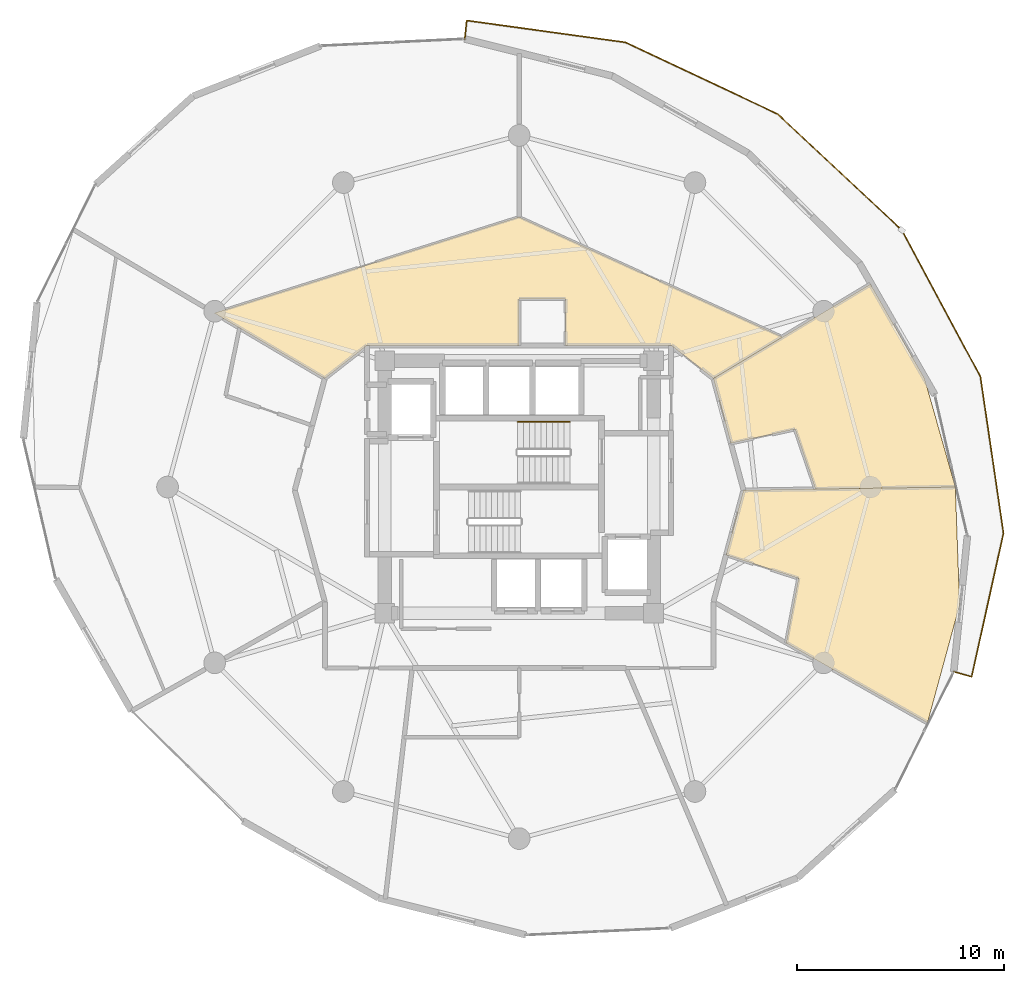
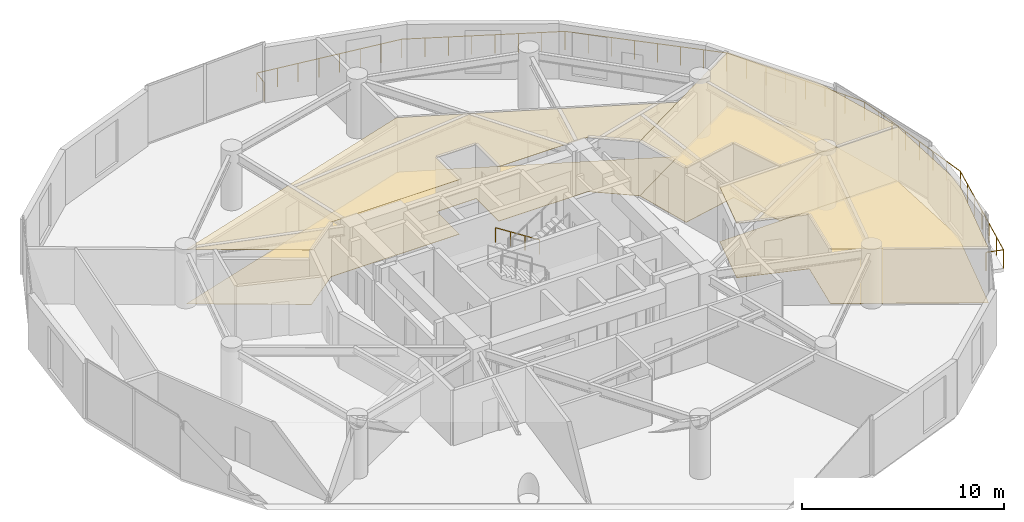
# One storey, part 25 of 25: 6 coverings, 2 railings.
"""IFC4 building model written with IfcOpenShell, lengths in metres."""

import ifcopenshell
import ifcopenshell.guid

model = None  # the IFC model being written
_history = None  # IfcOwnerHistory: only IFC2X3 demands one
_inside = {}  # id of a spatial element -> (the spatial element, [elements in it])
_under = {}  # id of a project, library or spatial element -> (it, [spatial elements below it])
_declared = {}  # id of a project -> (the project, [libraries it declares])
_typed = {}  # id of a type object -> (the type object, [elements of that type])
_made_of = {}  # id of a material, layer set ... -> (it, [elements and type objects made of it])


def new_model(schema):
    """Start an empty IFC model of exactly this schema.

    Asked for "IFC4X3", IfcOpenShell would pick the latest addendum, in which some entities
    have other attributes; the version numbers below select the first issue.
    IFC2X3 requires an IfcOwnerHistory on every rooted entity: one is made here for all.
    """
    global model, _history
    if schema == "IFC4X3":
        model = ifcopenshell.file(schema_version=(4, 3, 0, 0))
    else:
        model = ifcopenshell.file(schema=schema)
    _inside.clear()
    _under.clear()
    _declared.clear()
    _typed.clear()
    _made_of.clear()
    _history = None
    if model.schema == "IFC2X3":
        org = make("IfcOrganization", Name="unknown")
        user = make(
            "IfcPersonAndOrganization",
            ThePerson=make("IfcPerson", FamilyName="unknown"),
            TheOrganization=org,
        )
        app = make(
            "IfcApplication",
            ApplicationDeveloper=org,
            Version="unknown",
            ApplicationFullName="unknown",
            ApplicationIdentifier="unknown",
        )
        _history = make(
            "IfcOwnerHistory",
            OwningUser=user,
            OwningApplication=app,
            ChangeAction="ADDED",
            CreationDate=0,
        )
    return model


def make(cls, **values):
    """One entity of the class cls with the attributes given. An attribute that is None is left unset."""
    return model.create_entity(
        cls, **{name: value for name, value in values.items() if value is not None}
    )


def rooted(cls, **values):
    """An entity with a GlobalId (a new one), such as an element, a storey or a relation."""
    return make(cls, GlobalId=ifcopenshell.guid.new(), OwnerHistory=_history, **values)


def si_unit(unit_type, name, prefix=None):
    """IfcSIUnit, for example si_unit("LENGTHUNIT", "METRE", prefix="MILLI")."""
    return make("IfcSIUnit", UnitType=unit_type, Prefix=prefix, Name=name)


def assignment(units):
    """IfcUnitAssignment: the units of a project."""
    return None if units is None else make("IfcUnitAssignment", Units=units)


def point(xyz):
    """IfcCartesianPoint."""
    return None if xyz is None else make("IfcCartesianPoint", Coordinates=xyz)


def direction(xyz):
    """IfcDirection."""
    return None if xyz is None else make("IfcDirection", DirectionRatios=xyz)


def frame(location, z_axis=None, x_axis=None):
    """IfcAxis2Placement3D, a coordinate frame: its origin and axes. An axis left out is left unset."""
    return make(
        "IfcAxis2Placement3D",
        Location=point(location),
        Axis=direction(z_axis),
        RefDirection=direction(x_axis),
    )


def frame_2d(location, x_axis=None):
    """IfcAxis2Placement2D, a coordinate frame in the plane: its origin and x axis."""
    return make(
        "IfcAxis2Placement2D", Location=point(location), RefDirection=direction(x_axis)
    )


def origin():
    """The frame at (0, 0, 0) with its axes left unset."""
    return frame((0.0, 0.0, 0.0))


def origin_2d():
    """The frame at (0, 0) in the plane with its x axis left unset."""
    return frame_2d((0.0, 0.0))


def place(relative_to, where):
    """IfcLocalPlacement: puts the frame where relative to a parent placement (None: the world)."""
    return make(
        "IfcLocalPlacement", PlacementRelTo=relative_to, RelativePlacement=where
    )


def context(
    kind, dimensions, precision=None, world=None, true_north=None, identifier=None
):
    """IfcGeometricRepresentationContext, for example the 3D "Model" context."""
    return make(
        "IfcGeometricRepresentationContext",
        ContextIdentifier=identifier,
        ContextType=kind,
        CoordinateSpaceDimension=dimensions,
        Precision=precision,
        WorldCoordinateSystem=world,
        TrueNorth=true_north,
    )


def subcontext(parent, identifier, kind, view, scale=None):
    """IfcGeometricRepresentationSubContext, for example "Body" below "Model"."""
    return make(
        "IfcGeometricRepresentationSubContext",
        ContextIdentifier=identifier,
        ContextType=kind,
        ParentContext=parent,
        TargetScale=scale,
        TargetView=view,
    )


def project(units=None, contexts=None):
    """IfcProject with its units and contexts."""
    return rooted(
        "IfcProject",
        Name="project",
        RepresentationContexts=contexts,
        UnitsInContext=assignment(units),
    )


def spatial(cls, under=None, at=None, **own):
    """A site, building, storey or space (cls), placed at a placement, below another one or the project."""
    s = rooted(cls, ObjectPlacement=at, **own)
    if under is not None:
        _under.setdefault(under.id(), (under, []))[1].append(s)
    return s


def polyline(points):
    """IfcPolyline through the points."""
    return make("IfcPolyline", Points=[point(p) for p in points])


def profile(cls, at=None, kind="AREA", **sizes):
    """A parametric profile (cls). Its sizes go by their IFC names, for example OverallWidth=200.0."""
    return make(cls, ProfileType=kind, Position=at, **sizes)


def circle(**sizes):
    """IfcCircleProfileDef."""
    return profile("IfcCircleProfileDef", **sizes)


def outline(outer, holes=None, kind="AREA"):
    """IfcArbitraryClosedProfileDef: a profile drawn as a closed curve; with holes, ...WithVoids."""
    if holes is None:
        return make("IfcArbitraryClosedProfileDef", ProfileType=kind, OuterCurve=outer)
    return make(
        "IfcArbitraryProfileDefWithVoids",
        ProfileType=kind,
        OuterCurve=outer,
        InnerCurves=holes,
    )


def extrude(swept, where, along, depth):
    """IfcExtrudedAreaSolid: the profile swept, set in the frame where, extruded along a direction by depth."""
    return make(
        "IfcExtrudedAreaSolid",
        SweptArea=swept,
        Position=where,
        ExtrudedDirection=direction(along),
        Depth=depth,
    )


def shape(context_of_items, identifier, shape_type, items):
    """IfcShapeRepresentation: the items that make up one representation, for example the "Body"."""
    return make(
        "IfcShapeRepresentation",
        ContextOfItems=context_of_items,
        RepresentationIdentifier=identifier,
        RepresentationType=shape_type,
        Items=items,
    )


def material(Name=None, Category=None):
    """IfcMaterial."""
    return make("IfcMaterial", Name=Name, Category=Category)


def layer(
    of_material, thickness, ventilated=None, Name=None, Category=None, Priority=None
):
    """IfcMaterialLayer: one layer of a wall or slab, of a material (None: an air gap)."""
    return make(
        "IfcMaterialLayer",
        Material=of_material,
        LayerThickness=thickness,
        IsVentilated=ventilated,
        Name=Name,
        Category=Category,
        Priority=Priority,
    )


def layer_set(layers, Name=None):
    """IfcMaterialLayerSet."""
    return make("IfcMaterialLayerSet", MaterialLayers=layers, LayerSetName=Name)


def made_of(thing, what):
    """Note that an element or type object is made of a material, layer set ...; save() writes the relation."""
    if what is not None:
        _made_of.setdefault(what.id(), (what, []))[1].append(thing)
    return thing


def type_object(cls, material=None, **own):
    """A type object (cls), such as IfcWallType, which elements share."""
    return made_of(rooted(cls, **own), material)


def element(
    cls,
    number,
    at=None,
    inside=None,
    cuts=None,
    type_object=None,
    material=None,
    context=None,
    identifier="Body",
    shape_type=None,
    held_by="IfcProductDefinitionShape",
    body=None,
    shapes=None,
    **own,
):
    """One element of the class cls, such as IfcWall. Its Tag is "e" and its number.

    at: its placement. inside: the storey or other place that contains it. cuts: it is an
    opening in that element (IfcRelVoidsElement). A single representation is given by context,
    identifier, shape_type and body (its items); several are given by shapes. held_by: the class
    of the entity that holds the representations. save() writes the other relations.
    """
    e = rooted(cls, Tag="e%d" % number, ObjectPlacement=at, **own)
    if body is not None:
        shapes = [shape(context, identifier, shape_type, body)]
    if shapes is not None:
        e.Representation = make(held_by, Representations=shapes)
    if inside is not None:
        _inside.setdefault(inside.id(), (inside, []))[1].append(e)
    if cuts is not None:
        rooted(
            "IfcRelVoidsElement", RelatingBuildingElement=cuts, RelatedOpeningElement=e
        )
    if type_object is not None:
        _typed.setdefault(type_object.id(), (type_object, []))[1].append(e)
    return made_of(e, material)


def aggregate(whole, parts):
    """IfcRelAggregates: a whole, such as a stair, and the parts it consists of."""
    return rooted("IfcRelAggregates", RelatingObject=whole, RelatedObjects=parts)


def save(model, path):
    """Write the relations noted so far, then the file.

    IfcRelAggregates (storeys below a building ...), IfcRelContainedInSpatialStructure (elements
    in a storey), IfcRelDefinesByType, IfcRelAssociatesMaterial and IfcRelDeclares: one each for
    every whole, place, type object, material and project.
    """
    for whole, parts in _under.values():
        aggregate(whole, parts)
    for where, things in _inside.values():
        rooted(
            "IfcRelContainedInSpatialStructure",
            RelatedElements=things,
            RelatingStructure=where,
        )
    for kind, things in _typed.values():
        rooted("IfcRelDefinesByType", RelatedObjects=things, RelatingType=kind)
    for what, things in _made_of.values():
        rooted("IfcRelAssociatesMaterial", RelatedObjects=things, RelatingMaterial=what)
    for by, libraries in _declared.values():
        rooted("IfcRelDeclares", RelatingContext=by, RelatedDefinitions=libraries)
    model.write(path)


model = new_model("IFC4")

# Units and contexts
model_context = context("Model", 3, precision=1e-05, world=origin(), true_north=direction((0.0, 1.0)))
body_context = subcontext(model_context, "Body", "Model", "MODEL_VIEW")
ifc_project = project(units=[si_unit("LENGTHUNIT", "METRE"), si_unit("AREAUNIT", "SQUARE_METRE"), si_unit("VOLUMEUNIT", "CUBIC_METRE"), si_unit("PLANEANGLEUNIT", "RADIAN"), si_unit("MASSUNIT", "GRAM", prefix="KILO")], contexts=[model_context])

# Site, building, storey
site_placement = place(None, origin())
site = spatial("IfcSite", under=ifc_project, at=site_placement, CompositionType="ELEMENT")
building_placement = place(site_placement, origin())
building = spatial("IfcBuilding", under=site, at=building_placement, Name="Solvirekh Grand Hotel", CompositionType="ELEMENT")
storey_placement = place(building_placement, frame((0.0, 0.0, 124.199951171875)))
storey = spatial("IfcBuildingStorey", under=building, at=storey_placement, Name="L31", CompositionType="ELEMENT", Elevation=124.199951171875)

# Coverings
ifc_material_1 = material(Name="Acoustic Mineral Ceiling Tile")
ifc_layer_1 = layer(ifc_material_1, 0.02490234375)
ifc_layer_set_1 = layer_set([ifc_layer_1], Name="Acoustic Mineral Ceiling Tile")
covering_type_1 = type_object("IfcCoveringType", Name="Cov_Ceiling_Acoustic", PredefinedType="CEILING", material=ifc_layer_set_1)
covering_1_placement = place(storey_placement, frame((0.0, 0.0, 3.300048828125)))
element("IfcCovering", 1, at=covering_1_placement, inside=storey, type_object=covering_type_1, Name="L31 Panorama Suite 3301 Inner Suite Lounge acoustic ceiling", PredefinedType="CEILING", context=body_context, shape_type="SweptSolid", body=[
    extrude(outline(polyline([(0.0, 6.85009765625), (0.0, 9.10009765625), (2.25, 9.10009765625), (2.25, 6.85009765625), (7.35009765625, 6.85009765625), (9.39599609375, 5.25), (12.737060546875, 7.256103515625), (0.0, 13.06103515625), (-14.737060546875, 8.410888671875), (-9.39599609375, 5.25), (-7.35009765625, 6.85009765625), (0.0, 6.85009765625)])), origin(), (0.0, 0.0, 1.0), 0.01806640625),
])
covering_2_placement = place(storey_placement, frame((0.0, 0.0, 3.300048828125)))
element("IfcCovering", 2, at=covering_2_placement, inside=storey, type_object=covering_type_1, Name="L31 Deluxe Guestroom 3303 acoustic ceiling", PredefinedType="CEILING", context=body_context, shape_type="SweptSolid", body=[
    extrude(outline(polyline([(13.510986328125, -4.4140625), (12.9150390625, -7.5390625), (19.74609375, -11.39990234375), (21.299072265625, -5.70703125), (21.093017578125, 0.0), (10.85009765625, -0.14990234375), (10.007080078125, -3.281982421875), (13.510986328125, -4.4140625)])), origin(), (0.0, 0.0, 1.0), 0.01806640625),
])
covering_3_placement = place(storey_placement, frame((0.0, 0.0, 3.300048828125)))
element("IfcCovering", 3, at=covering_3_placement, inside=storey, type_object=covering_type_1, Name="L31 Deluxe Guestroom 3304 acoustic ceiling", PredefinedType="CEILING", context=body_context, shape_type="SweptSolid", body=[
    extrude(outline(polyline([(13.343994140625, 2.799072265625), (14.3330078125, -0.09912109375), (21.093017578125, 0.0), (19.60302734375, 5.2529296875), (16.989990234375, 9.80908203125), (9.39599609375, 5.25), (10.239013671875, 2.117919921875), (13.343994140625, 2.799072265625)])), origin(), (0.0, 0.0, 1.0), 0.01806640625),
])
ifc_material_2 = material(Name="Porcelain Stoneware Flooring", Category="masonry")
ifc_layer_2 = layer(ifc_material_2, 0.030029296875)
ifc_layer_set_2 = layer_set([ifc_layer_2], Name="Porcelain Stoneware Flooring")
covering_type_2 = type_object("IfcCoveringType", Name="Cov_Floor_Stone", PredefinedType="FLOORING", material=ifc_layer_set_2)
covering_4_placement = place(storey_placement, origin())
element("IfcCovering", 4, at=covering_4_placement, inside=storey, type_object=covering_type_2, Name="L31 Panorama Suite 3301 Inner Suite Lounge polished granite flooring", PredefinedType="FLOORING", context=body_context, shape_type="SweptSolid", body=[
    extrude(outline(polyline([(0.0, 6.85009765625), (0.0, 9.10009765625), (2.25, 9.10009765625), (2.25, 6.85009765625), (7.35009765625, 6.85009765625), (9.39599609375, 5.25), (12.737060546875, 7.256103515625), (0.0, 13.06103515625), (-14.737060546875, 8.410888671875), (-9.39599609375, 5.25), (-7.35009765625, 6.85009765625), (0.0, 6.85009765625)])), origin(), (0.0, 0.0, 1.0), 0.02001953125),
])
covering_5_placement = place(storey_placement, origin())
element("IfcCovering", 5, at=covering_5_placement, inside=storey, type_object=covering_type_2, Name="L31 Deluxe Guestroom 3303 polished granite flooring", PredefinedType="FLOORING", context=body_context, shape_type="SweptSolid", body=[
    extrude(outline(polyline([(13.510986328125, -4.4140625), (12.9150390625, -7.5390625), (19.74609375, -11.39990234375), (21.299072265625, -5.70703125), (21.093017578125, 0.0), (10.85009765625, -0.14990234375), (10.007080078125, -3.281982421875), (13.510986328125, -4.4140625)])), origin(), (0.0, 0.0, 1.0), 0.02001953125),
])
covering_6_placement = place(storey_placement, origin())
element("IfcCovering", 6, at=covering_6_placement, inside=storey, type_object=covering_type_2, Name="L31 Deluxe Guestroom 3304 polished granite flooring", PredefinedType="FLOORING", context=body_context, shape_type="SweptSolid", body=[
    extrude(outline(polyline([(13.343994140625, 2.799072265625), (14.3330078125, -0.09912109375), (21.093017578125, 0.0), (19.60302734375, 5.2529296875), (16.989990234375, 9.80908203125), (9.39599609375, 5.25), (10.239013671875, 2.117919921875), (13.343994140625, 2.799072265625)])), origin(), (0.0, 0.0, 1.0), 0.02001953125),
])

# Railings
ifc_material_3 = material(Name="Anodized Bronze Aluminium 6063-T6", Category="aluminium")
railing_type_1 = type_object("IfcRailingType", Name="Guard_ExtGlass_1150", PredefinedType="BALUSTRADE", material=ifc_material_3)
railing_1_placement = place(storey_placement, frame((21.01611328125, -8.928955078125, 0.0)))
element("IfcRailing", 7, at=railing_1_placement, inside=storey, type_object=railing_type_1, Name="L31 balc perimeter glass balustrade", PredefinedType="BALUSTRADE", context=body_context, shape_type="SweptSolid", body=[
    extrude(circle(Radius=0.02392578125, at=origin_2d()), frame((0.0, 0.0, 1.1259765625), z_axis=(0.961911860925, -0.273359784554, 0.0), x_axis=(0.273359784554, 0.961911860925, 0.0)), (0.0, 0.0, 1.0), 0.900146484375),
    extrude(circle(Radius=0.02392578125, at=origin_2d()), frame((0.865966796875, -0.24609375, 1.1259765625), z_axis=(0.216487108869, 0.976285476535, 0.0), x_axis=(-0.976285476535, 0.216487108869, 0.0)), (0.0, 0.0, 1.0), 7.11376953125),
    extrude(circle(Radius=0.02392578125, at=origin_2d()), frame((2.406005859375, 6.698974609375, 1.1259765625), z_axis=(-0.145826678959, 0.989310153442, 0.0), x_axis=(-0.989310153442, -0.145826678959, 0.0)), (0.0, 0.0, 1.0), 7.647705078125),
    extrude(circle(Radius=0.02392578125, at=origin_2d()), frame((1.290771484375, 14.264892578125, 1.1259765625), z_axis=(-0.472683768609, 0.881232123163, 0.0), x_axis=(-0.881232123163, -0.472683768609, 0.0)), (0.0, 0.0, 1.0), 8.04345703125),
    extrude(circle(Radius=0.02392578125, at=origin_2d()), frame((-2.51123046875, 21.35302734375, 1.1259765625), z_axis=(-0.730370359889, 0.683051343162, 0.0), x_axis=(-0.683051343162, -0.730370359889, 0.0)), (0.0, 0.0, 1.0), 8.218994140625),
    extrude(circle(Radius=0.02392578125, at=origin_2d()), frame((-8.51416015625, 26.967041015625, 1.1259765625), z_axis=(-0.904603432483, 0.426254184659, 0.0), x_axis=(-0.426254184659, -0.904603432483, 0.0)), (0.0, 0.0, 1.0), 8.126220703125),
    extrude(circle(Radius=0.02392578125, at=origin_2d()), frame((-15.865234375, 30.430908203125, 1.1259765625), z_axis=(-0.990661319287, 0.136345702057, 0.0), x_axis=(-0.136345702057, -0.990661319287, 0.0)), (0.0, 0.0, 1.0), 7.760498046875),
    extrude(circle(Radius=0.02392578125, at=origin_2d()), frame((-23.55322265625, 31.489013671875, 1.1259765625), z_axis=(-0.102028865499, -0.994781438611, 0.0), x_axis=(0.994781438611, -0.102028865499, 0.0)), (0.0, 0.0, 1.0), 0.899658203125),
    extrude(circle(Radius=0.02099609375, at=origin_2d()), origin(), (0.0, 0.0, 1.0), 1.101806640625),
    extrude(circle(Radius=0.02099609375, at=origin_2d()), frame((0.865966796875, -0.24609375, 0.0)), (0.0, 0.0, 1.0), 1.101806640625),
    extrude(circle(Radius=0.02099609375, at=origin_2d()), frame((1.12255859375, 0.911376953125, 0.0)), (0.0, 0.0, 1.0), 1.101806640625),
    extrude(circle(Radius=0.02099609375, at=origin_2d()), frame((1.37939453125, 2.06884765625, 0.0)), (0.0, 0.0, 1.0), 1.101806640625),
    extrude(circle(Radius=0.02099609375, at=origin_2d()), frame((1.635986328125, 3.2265625, 0.0)), (0.0, 0.0, 1.0), 1.101806640625),
    extrude(circle(Radius=0.02099609375, at=origin_2d()), frame((1.892578125, 4.384033203125, 0.0)), (0.0, 0.0, 1.0), 1.101806640625),
    extrude(circle(Radius=0.02099609375, at=origin_2d()), frame((2.1494140625, 5.54150390625, 0.0)), (0.0, 0.0, 1.0), 1.101806640625),
    extrude(circle(Radius=0.02099609375, at=origin_2d()), frame((2.406005859375, 6.698974609375, 0.0)), (0.0, 0.0, 1.0), 1.101806640625),
    extrude(circle(Radius=0.02099609375, at=origin_2d()), frame((2.24658203125, 7.77978515625, 0.0)), (0.0, 0.0, 1.0), 1.101806640625),
    extrude(circle(Radius=0.02099609375, at=origin_2d()), frame((2.08740234375, 8.860595703125, 0.0)), (0.0, 0.0, 1.0), 1.101806640625),
    extrude(circle(Radius=0.02099609375, at=origin_2d()), frame((1.927978515625, 9.94140625, 0.0)), (0.0, 0.0, 1.0), 1.101806640625),
    extrude(circle(Radius=0.02099609375, at=origin_2d()), frame((1.768798828125, 11.0224609375, 0.0)), (0.0, 0.0, 1.0), 1.101806640625),
    extrude(circle(Radius=0.02099609375, at=origin_2d()), frame((1.609375, 12.103271484375, 0.0)), (0.0, 0.0, 1.0), 1.101806640625),
    extrude(circle(Radius=0.02099609375, at=origin_2d()), frame((1.4501953125, 13.18408203125, 0.0)), (0.0, 0.0, 1.0), 1.101806640625),
    extrude(circle(Radius=0.02099609375, at=origin_2d()), frame((1.290771484375, 14.264892578125, 0.0)), (0.0, 0.0, 1.0), 1.101806640625),
    extrude(circle(Radius=0.02099609375, at=origin_2d()), frame((0.74755859375, 15.277587890625, 0.0)), (0.0, 0.0, 1.0), 1.101806640625),
    extrude(circle(Radius=0.02099609375, at=origin_2d()), frame((0.20458984375, 16.2900390625, 0.0)), (0.0, 0.0, 1.0), 1.101806640625),
    extrude(circle(Radius=0.02099609375, at=origin_2d()), frame((-0.338623046875, 17.302734375, 0.0)), (0.0, 0.0, 1.0), 1.101806640625),
    extrude(circle(Radius=0.02099609375, at=origin_2d()), frame((-0.8818359375, 18.315185546875, 0.0)), (0.0, 0.0, 1.0), 1.101806640625),
    extrude(circle(Radius=0.02099609375, at=origin_2d()), frame((-1.425048828125, 19.327880859375, 0.0)), (0.0, 0.0, 1.0), 1.101806640625),
    extrude(circle(Radius=0.02099609375, at=origin_2d()), frame((-1.968017578125, 20.34033203125, 0.0)), (0.0, 0.0, 1.0), 1.101806640625),
    extrude(circle(Radius=0.02099609375, at=origin_2d()), frame((-2.51123046875, 21.35302734375, 0.0)), (0.0, 0.0, 1.0), 1.101806640625),
    extrude(circle(Radius=0.02099609375, at=origin_2d()), frame((-3.368896484375, 22.155029296875, 0.0)), (0.0, 0.0, 1.0), 1.101806640625),
    extrude(circle(Radius=0.02099609375, at=origin_2d()), frame((-4.226318359375, 22.95703125, 0.0)), (0.0, 0.0, 1.0), 1.101806640625),
    extrude(circle(Radius=0.02099609375, at=origin_2d()), frame((-5.083984375, 23.759033203125, 0.0)), (0.0, 0.0, 1.0), 1.101806640625),
    extrude(circle(Radius=0.02099609375, at=origin_2d()), frame((-5.94140625, 24.56103515625, 0.0)), (0.0, 0.0, 1.0), 1.101806640625),
    extrude(circle(Radius=0.02099609375, at=origin_2d()), frame((-6.799072265625, 25.363037109375, 0.0)), (0.0, 0.0, 1.0), 1.101806640625),
    extrude(circle(Radius=0.02099609375, at=origin_2d()), frame((-7.656494140625, 26.1650390625, 0.0)), (0.0, 0.0, 1.0), 1.101806640625),
    extrude(circle(Radius=0.02099609375, at=origin_2d()), frame((-8.51416015625, 26.967041015625, 0.0)), (0.0, 0.0, 1.0), 1.101806640625),
    extrude(circle(Radius=0.02099609375, at=origin_2d()), frame((-9.564208984375, 27.4619140625, 0.0)), (0.0, 0.0, 1.0), 1.101806640625),
    extrude(circle(Radius=0.02099609375, at=origin_2d()), frame((-10.614501953125, 27.956787109375, 0.0)), (0.0, 0.0, 1.0), 1.101806640625),
    extrude(circle(Radius=0.02099609375, at=origin_2d()), frame((-11.66455078125, 28.45166015625, 0.0)), (0.0, 0.0, 1.0), 1.101806640625),
    extrude(circle(Radius=0.02099609375, at=origin_2d()), frame((-12.71484375, 28.9462890625, 0.0)), (0.0, 0.0, 1.0), 1.101806640625),
    extrude(circle(Radius=0.02099609375, at=origin_2d()), frame((-13.764892578125, 29.441162109375, 0.0)), (0.0, 0.0, 1.0), 1.101806640625),
    extrude(circle(Radius=0.02099609375, at=origin_2d()), frame((-14.815185546875, 29.93603515625, 0.0)), (0.0, 0.0, 1.0), 1.101806640625),
    extrude(circle(Radius=0.02099609375, at=origin_2d()), frame((-15.865234375, 30.430908203125, 0.0)), (0.0, 0.0, 1.0), 1.101806640625),
    extrude(circle(Radius=0.02099609375, at=origin_2d()), frame((-16.963623046875, 30.58203125, 0.0)), (0.0, 0.0, 1.0), 1.101806640625),
    extrude(circle(Radius=0.02099609375, at=origin_2d()), frame((-18.061767578125, 30.733154296875, 0.0)), (0.0, 0.0, 1.0), 1.101806640625),
    extrude(circle(Radius=0.02099609375, at=origin_2d()), frame((-19.16015625, 30.88427734375, 0.0)), (0.0, 0.0, 1.0), 1.101806640625),
    extrude(circle(Radius=0.02099609375, at=origin_2d()), frame((-20.25830078125, 31.03564453125, 0.0)), (0.0, 0.0, 1.0), 1.101806640625),
    extrude(circle(Radius=0.02099609375, at=origin_2d()), frame((-21.356689453125, 31.186767578125, 0.0)), (0.0, 0.0, 1.0), 1.101806640625),
    extrude(circle(Radius=0.02099609375, at=origin_2d()), frame((-22.454833984375, 31.337890625, 0.0)), (0.0, 0.0, 1.0), 1.101806640625),
    extrude(circle(Radius=0.02099609375, at=origin_2d()), frame((-23.55322265625, 31.489013671875, 0.0)), (0.0, 0.0, 1.0), 1.101806640625),
    extrude(circle(Radius=0.02099609375, at=origin_2d()), frame((-23.64501953125, 30.593994140625, 0.0)), (0.0, 0.0, 1.0), 1.101806640625),
])
railing_type_2 = type_object("IfcRailingType", Name="Handrail_Wall_900", PredefinedType="HANDRAIL", material=ifc_material_3)
railing_2_placement = place(storey_placement, frame((2.449951171875, 3.14990234375, 0.179931640625)))
element("IfcRailing", 8, at=railing_2_placement, inside=storey, type_object=railing_type_2, Name="L31 ST-2 stair handrail 1", PredefinedType="HANDRAIL", context=body_context, shape_type="SweptSolid", body=[
    extrude(circle(Radius=0.02392578125, at=origin_2d()), frame((0.0, 0.0, 0.8759765625), z_axis=(-0.841162588446, 0.0, 0.540782303519), x_axis=(0.0, -1.0, 0.0)), (0.0, 0.0, 1.0), 2.995849609375),
    extrude(circle(Radius=0.02099609375, at=origin_2d()), origin(), (0.0, 0.0, 1.0), 0.851806640625),
    extrude(circle(Radius=0.02099609375, at=origin_2d()), frame((-0.840087890625, 0.0, 0.5400390625)), (0.0, 0.0, 1.0), 0.851806640625),
    extrude(circle(Radius=0.02099609375, at=origin_2d()), frame((-1.679931640625, 0.0, 1.080078125)), (0.0, 0.0, 1.0), 0.851806640625),
    extrude(circle(Radius=0.02099609375, at=origin_2d()), frame((-2.52001953125, 0.0, 1.6201171875)), (0.0, 0.0, 1.0), 0.851806640625),
])

save(model, "model.ifc")
